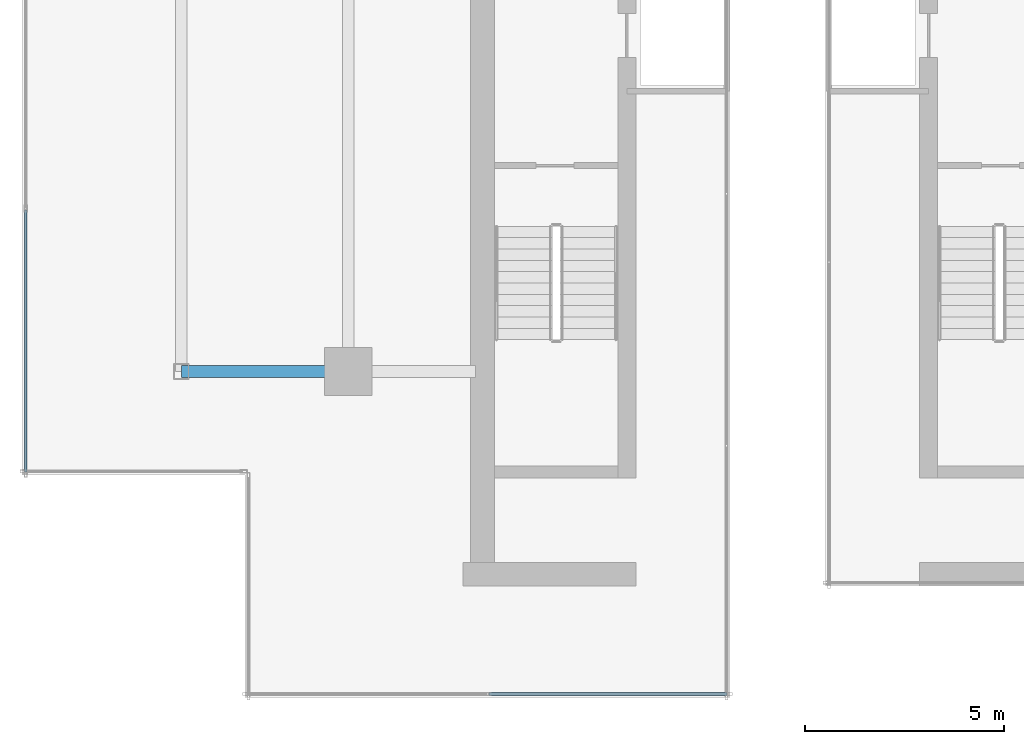
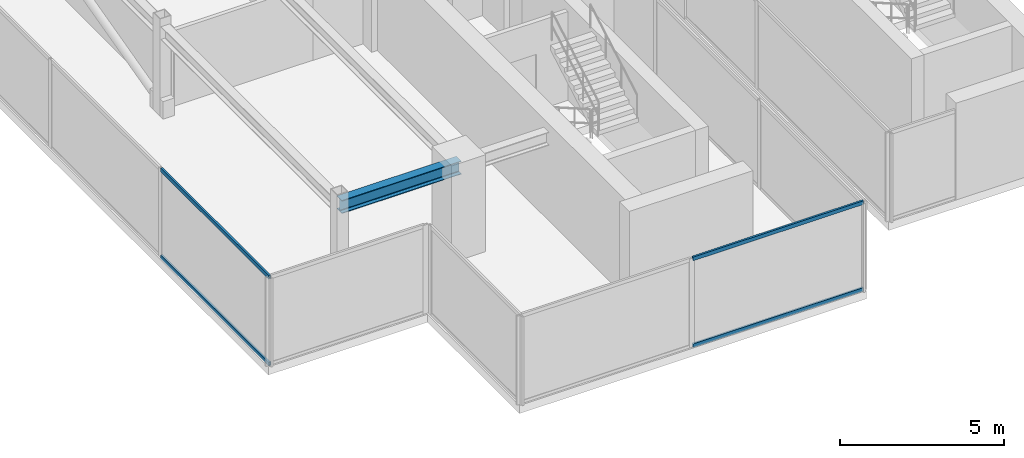
# One storey, part 3 of 16: 4 members, 1 beam, 2 elements without a shape of their own.
"""IFC4 building model written with IfcOpenShell, lengths in metres."""

from ifc_helpers import new_model, si_unit, direction, frame, origin, origin_2d, place, context, subcontext, project, spatial, hollow_rectangle, i_section, extrude, source, transform, mapped, material, material_profile, profile_set, type_object, type_shapes, element, aggregate, save


model = new_model("IFC4")

# Units and contexts
model_context = context("Model", 3, precision=1e-05, world=origin(), true_north=direction((0.0, 1.0)))
body_context = subcontext(model_context, "Body", "Model", "MODEL_VIEW")
ifc_project = project(units=[si_unit("LENGTHUNIT", "METRE"), si_unit("AREAUNIT", "SQUARE_METRE"), si_unit("VOLUMEUNIT", "CUBIC_METRE"), si_unit("PLANEANGLEUNIT", "RADIAN"), si_unit("MASSUNIT", "GRAM", prefix="KILO")], contexts=[model_context])

# Site, building, storey
site_placement = place(None, origin())
site = spatial("IfcSite", under=ifc_project, at=site_placement, CompositionType="ELEMENT")
building_placement = place(site_placement, origin())
building = spatial("IfcBuilding", under=site, at=building_placement, Name="Krantzveldt Concourse Tower", CompositionType="ELEMENT")
storey_placement = place(building_placement, frame((0.0, 0.0, 381.85009765625)))
storey = spatial("IfcBuildingStorey", under=building, at=storey_placement, Name="L94", CompositionType="ELEMENT", Elevation=381.85009765625)

# Beam
ifc_material_1 = material(Name="Steel S355JR", Category="steel")
ifc_material_profile_1 = material_profile(ifc_material_1, i_section(OverallWidth=0.300048828125, OverallDepth=0.489990234375, WebThickness=0.011962890625, FlangeThickness=0.02294921875, FilletRadius=0.027099609375, at=origin_2d()), Name="Steel S355JR", Category="steel")
ifc_profile_set_1 = profile_set([ifc_material_profile_1], Name="Steel S355JR - HEA 500")
beam_type = type_object("IfcBeamType", Name="BM-B-HEA500", PredefinedType="BEAM", material=ifc_profile_set_1)
shared_shape_1 = source(origin(), body_context, "Body", "SweptSolid", [
    extrude(i_section(OverallWidth=0.300048828125, OverallDepth=0.489990234375, WebThickness=0.011962890625, FlangeThickness=0.02294921875, FilletRadius=0.027099609375, at=origin_2d()), origin(), (0.0, 0.0, 1.0), 4.199951171875),
])
type_shapes(beam_type, [shared_shape_1])
beam_placement = place(storey_placement, frame((21.0, 15.89990234375, 3.054931640625), z_axis=(1.0, 0.0, 0.0), x_axis=(0.0, 1.0, 0.0)))
element("IfcBeam", 1, at=beam_placement, inside=storey, type_object=beam_type, Name="L94 Crown Girder WEST-6", PredefinedType="BEAM", context=body_context, shape_type="MappedRepresentation", body=[
    mapped(shared_shape_1, transform((0.0, 0.0, 0.0), x_axis=(1.0, 0.0, 0.0), y_axis=(0.0, 1.0, 0.0), z_axis=(0.0, 0.0, 1.0), scale=1.0)),
])

# Curtain wall, members
ifc_material_2 = material(Name="Anodised aluminium 6063-T6", Category="aluminium")
curtain_wall_type = type_object("IfcCurtainWallType", Name="CW7", PredefinedType="USERDEFINED", material=ifc_material_2)
curtain_wall_1_placement = place(storey_placement, origin())
curtain_wall_1 = element("IfcCurtainWall", 2, at=curtain_wall_1_placement, inside=storey, type_object=curtain_wall_type, Name="CW-L94-WEST-05", ObjectType="UNITISED CURTAIN WALL", PredefinedType="USERDEFINED")
ifc_material_profile_2 = material_profile(ifc_material_2, hollow_rectangle(XDim=0.070068359375, YDim=0.139892578125, WallThickness=0.0048828125, at=origin_2d()), Name="Anodised aluminium 6063-T6", Category="aluminium")
ifc_profile_set_2 = profile_set([ifc_material_profile_2], Name="Anodised aluminium 6063-T6 - ALU-TRAN 140x70x5")
member_type = type_object("IfcMemberType", Name="CW-TRN-150", PredefinedType="USERDEFINED", material=ifc_profile_set_2)
shared_shape_2 = source(origin(), body_context, "Body", "SweptSolid", [
    extrude(hollow_rectangle(XDim=0.070068359375, YDim=0.139892578125, WallThickness=0.0048828125, at=origin_2d()), origin(), (0.0, 0.0, 1.0), 6.594970703125),
])
member_1_placement = place(storey_placement, frame((17.090087890625, 19.965087890625, 0.034912109375), z_axis=(0.0, -1.0, 0.0), x_axis=(1.0, 0.0, 0.0)))
member_1 = element("IfcMember", 3, at=member_1_placement, type_object=member_type, Name="CW-CRN transom 4.1", ObjectType="TRANSOM", PredefinedType="USERDEFINED", context=body_context, shape_type="MappedRepresentation", body=[
    mapped(shared_shape_2, transform((0.0, 0.0, 0.0), x_axis=(1.0, 0.0, 0.0), y_axis=(0.0, 1.0, 0.0), z_axis=(0.0, 0.0, 1.0), scale=1.0)),
])
member_2_placement = place(storey_placement, frame((17.090087890625, 19.965087890625, 3.264892578125), z_axis=(0.0, -1.0, 0.0), x_axis=(1.0, 0.0, 0.0)))
member_2 = element("IfcMember", 4, at=member_2_placement, type_object=member_type, Name="CW-CRN transom 4.2", ObjectType="TRANSOM", PredefinedType="USERDEFINED", context=body_context, shape_type="MappedRepresentation", body=[
    mapped(shared_shape_2, transform((0.0, 0.0, 0.0), x_axis=(1.0, 0.0, 0.0), y_axis=(0.0, 1.0, 0.0), z_axis=(0.0, 0.0, 1.0), scale=1.0)),
])
aggregate(curtain_wall_1, [member_1, member_2])

curtain_wall_2_placement = place(storey_placement, origin())
curtain_wall_2 = element("IfcCurtainWall", 5, at=curtain_wall_2_placement, inside=storey, type_object=curtain_wall_type, Name="CW-L94-WEST-00", ObjectType="UNITISED CURTAIN WALL", PredefinedType="USERDEFINED")
shared_shape_3 = source(origin(), body_context, "Body", "SweptSolid", [
    extrude(hollow_rectangle(XDim=0.070068359375, YDim=0.139892578125, WallThickness=0.0048828125, at=origin_2d()), origin(), (0.0, 0.0, 1.0), 5.994873046875),
])
type_shapes(member_type, [shared_shape_2, shared_shape_3])
member_3_placement = place(storey_placement, frame((28.735107421875, 7.7900390625, 0.034912109375), z_axis=(1.0, 0.0, 0.0), x_axis=(0.0, 1.0, 0.0)))
member_3 = element("IfcMember", 6, at=member_3_placement, type_object=member_type, Name="CW-CRN transom 2.1", ObjectType="TRANSOM", PredefinedType="USERDEFINED", context=body_context, shape_type="MappedRepresentation", body=[
    mapped(shared_shape_3, transform((0.0, 0.0, 0.0), x_axis=(1.0, 0.0, 0.0), y_axis=(0.0, 1.0, 0.0), z_axis=(0.0, 0.0, 1.0), scale=1.0)),
])
member_4_placement = place(storey_placement, frame((28.735107421875, 7.7900390625, 3.264892578125), z_axis=(1.0, 0.0, 0.0), x_axis=(0.0, 1.0, 0.0)))
member_4 = element("IfcMember", 7, at=member_4_placement, type_object=member_type, Name="CW-CRN transom 2.2", ObjectType="TRANSOM", PredefinedType="USERDEFINED", context=body_context, shape_type="MappedRepresentation", body=[
    mapped(shared_shape_3, transform((0.0, 0.0, 0.0), x_axis=(1.0, 0.0, 0.0), y_axis=(0.0, 1.0, 0.0), z_axis=(0.0, 0.0, 1.0), scale=1.0)),
])
aggregate(curtain_wall_2, [member_3, member_4])

save(model, "model.ifc")
